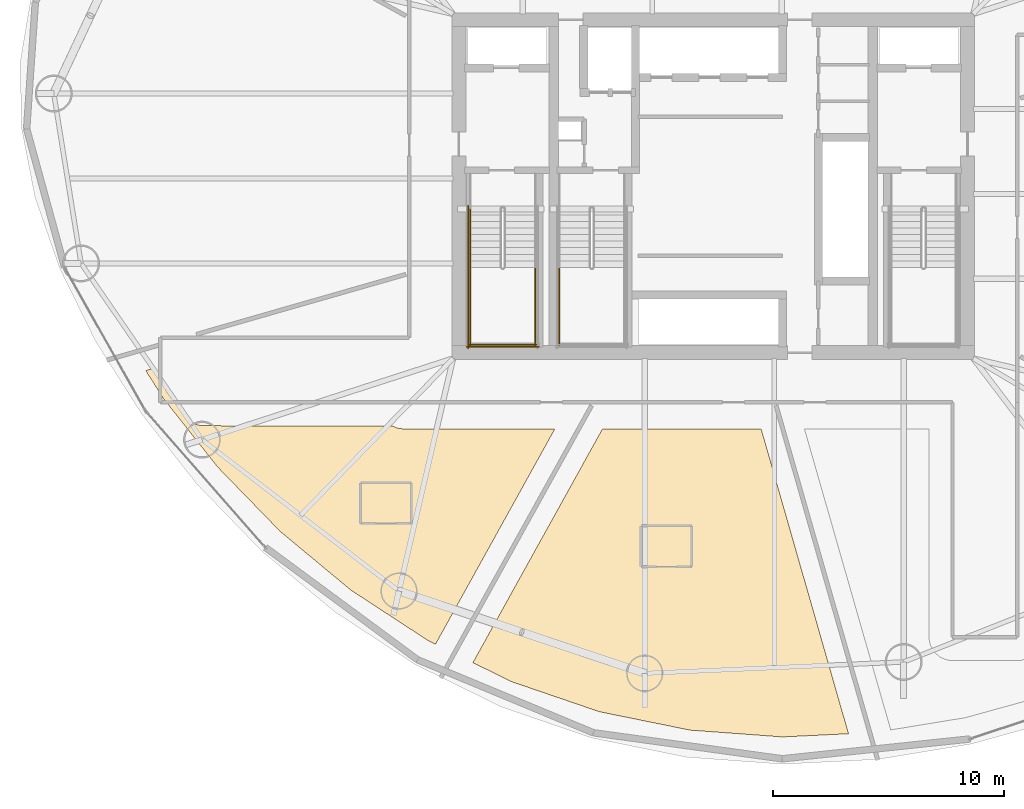
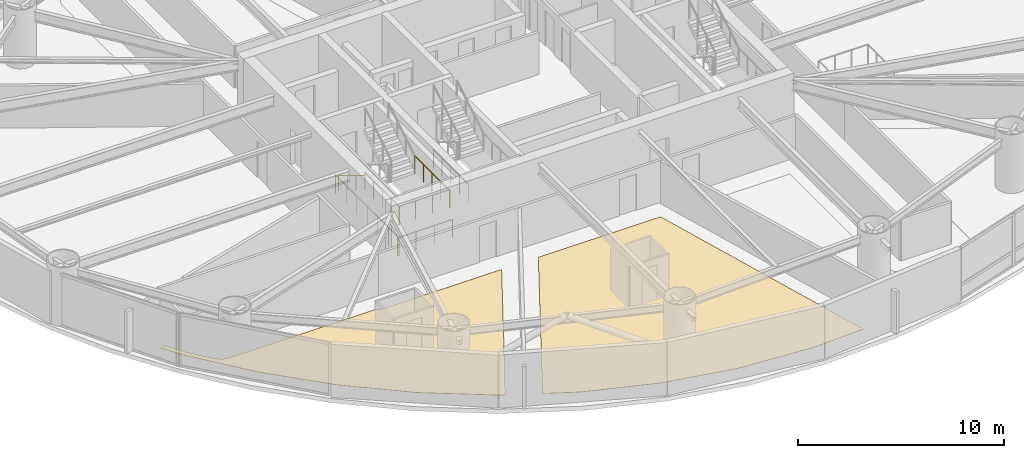
# One storey, part 21 of 25: 7 railings, 2 coverings.
"""IFC4 building model written with IfcOpenShell, lengths in metres."""

import ifcopenshell
import ifcopenshell.guid

model = None  # the IFC model being written
_history = None  # IfcOwnerHistory: only IFC2X3 demands one
_inside = {}  # id of a spatial element -> (the spatial element, [elements in it])
_under = {}  # id of a project, library or spatial element -> (it, [spatial elements below it])
_declared = {}  # id of a project -> (the project, [libraries it declares])
_typed = {}  # id of a type object -> (the type object, [elements of that type])
_made_of = {}  # id of a material, layer set ... -> (it, [elements and type objects made of it])


def new_model(schema):
    """Start an empty IFC model of exactly this schema.

    Asked for "IFC4X3", IfcOpenShell would pick the latest addendum, in which some entities
    have other attributes; the version numbers below select the first issue.
    IFC2X3 requires an IfcOwnerHistory on every rooted entity: one is made here for all.
    """
    global model, _history
    if schema == "IFC4X3":
        model = ifcopenshell.file(schema_version=(4, 3, 0, 0))
    else:
        model = ifcopenshell.file(schema=schema)
    _inside.clear()
    _under.clear()
    _declared.clear()
    _typed.clear()
    _made_of.clear()
    _history = None
    if model.schema == "IFC2X3":
        org = make("IfcOrganization", Name="unknown")
        user = make(
            "IfcPersonAndOrganization",
            ThePerson=make("IfcPerson", FamilyName="unknown"),
            TheOrganization=org,
        )
        app = make(
            "IfcApplication",
            ApplicationDeveloper=org,
            Version="unknown",
            ApplicationFullName="unknown",
            ApplicationIdentifier="unknown",
        )
        _history = make(
            "IfcOwnerHistory",
            OwningUser=user,
            OwningApplication=app,
            ChangeAction="ADDED",
            CreationDate=0,
        )
    return model


def make(cls, **values):
    """One entity of the class cls with the attributes given. An attribute that is None is left unset."""
    return model.create_entity(
        cls, **{name: value for name, value in values.items() if value is not None}
    )


def rooted(cls, **values):
    """An entity with a GlobalId (a new one), such as an element, a storey or a relation."""
    return make(cls, GlobalId=ifcopenshell.guid.new(), OwnerHistory=_history, **values)


def si_unit(unit_type, name, prefix=None):
    """IfcSIUnit, for example si_unit("LENGTHUNIT", "METRE", prefix="MILLI")."""
    return make("IfcSIUnit", UnitType=unit_type, Prefix=prefix, Name=name)


def assignment(units):
    """IfcUnitAssignment: the units of a project."""
    return None if units is None else make("IfcUnitAssignment", Units=units)


def point(xyz):
    """IfcCartesianPoint."""
    return None if xyz is None else make("IfcCartesianPoint", Coordinates=xyz)


def direction(xyz):
    """IfcDirection."""
    return None if xyz is None else make("IfcDirection", DirectionRatios=xyz)


def frame(location, z_axis=None, x_axis=None):
    """IfcAxis2Placement3D, a coordinate frame: its origin and axes. An axis left out is left unset."""
    return make(
        "IfcAxis2Placement3D",
        Location=point(location),
        Axis=direction(z_axis),
        RefDirection=direction(x_axis),
    )


def frame_2d(location, x_axis=None):
    """IfcAxis2Placement2D, a coordinate frame in the plane: its origin and x axis."""
    return make(
        "IfcAxis2Placement2D", Location=point(location), RefDirection=direction(x_axis)
    )


def origin():
    """The frame at (0, 0, 0) with its axes left unset."""
    return frame((0.0, 0.0, 0.0))


def origin_2d():
    """The frame at (0, 0) in the plane with its x axis left unset."""
    return frame_2d((0.0, 0.0))


def place(relative_to, where):
    """IfcLocalPlacement: puts the frame where relative to a parent placement (None: the world)."""
    return make(
        "IfcLocalPlacement", PlacementRelTo=relative_to, RelativePlacement=where
    )


def context(
    kind, dimensions, precision=None, world=None, true_north=None, identifier=None
):
    """IfcGeometricRepresentationContext, for example the 3D "Model" context."""
    return make(
        "IfcGeometricRepresentationContext",
        ContextIdentifier=identifier,
        ContextType=kind,
        CoordinateSpaceDimension=dimensions,
        Precision=precision,
        WorldCoordinateSystem=world,
        TrueNorth=true_north,
    )


def subcontext(parent, identifier, kind, view, scale=None):
    """IfcGeometricRepresentationSubContext, for example "Body" below "Model"."""
    return make(
        "IfcGeometricRepresentationSubContext",
        ContextIdentifier=identifier,
        ContextType=kind,
        ParentContext=parent,
        TargetScale=scale,
        TargetView=view,
    )


def project(units=None, contexts=None):
    """IfcProject with its units and contexts."""
    return rooted(
        "IfcProject",
        Name="project",
        RepresentationContexts=contexts,
        UnitsInContext=assignment(units),
    )


def spatial(cls, under=None, at=None, **own):
    """A site, building, storey or space (cls), placed at a placement, below another one or the project."""
    s = rooted(cls, ObjectPlacement=at, **own)
    if under is not None:
        _under.setdefault(under.id(), (under, []))[1].append(s)
    return s


def polyline(points):
    """IfcPolyline through the points."""
    return make("IfcPolyline", Points=[point(p) for p in points])


def profile(cls, at=None, kind="AREA", **sizes):
    """A parametric profile (cls). Its sizes go by their IFC names, for example OverallWidth=200.0."""
    return make(cls, ProfileType=kind, Position=at, **sizes)


def circle(**sizes):
    """IfcCircleProfileDef."""
    return profile("IfcCircleProfileDef", **sizes)


def outline(outer, holes=None, kind="AREA"):
    """IfcArbitraryClosedProfileDef: a profile drawn as a closed curve; with holes, ...WithVoids."""
    if holes is None:
        return make("IfcArbitraryClosedProfileDef", ProfileType=kind, OuterCurve=outer)
    return make(
        "IfcArbitraryProfileDefWithVoids",
        ProfileType=kind,
        OuterCurve=outer,
        InnerCurves=holes,
    )


def extrude(swept, where, along, depth):
    """IfcExtrudedAreaSolid: the profile swept, set in the frame where, extruded along a direction by depth."""
    return make(
        "IfcExtrudedAreaSolid",
        SweptArea=swept,
        Position=where,
        ExtrudedDirection=direction(along),
        Depth=depth,
    )


def shape(context_of_items, identifier, shape_type, items):
    """IfcShapeRepresentation: the items that make up one representation, for example the "Body"."""
    return make(
        "IfcShapeRepresentation",
        ContextOfItems=context_of_items,
        RepresentationIdentifier=identifier,
        RepresentationType=shape_type,
        Items=items,
    )


def material(Name=None, Category=None):
    """IfcMaterial."""
    return make("IfcMaterial", Name=Name, Category=Category)


def layer(
    of_material, thickness, ventilated=None, Name=None, Category=None, Priority=None
):
    """IfcMaterialLayer: one layer of a wall or slab, of a material (None: an air gap)."""
    return make(
        "IfcMaterialLayer",
        Material=of_material,
        LayerThickness=thickness,
        IsVentilated=ventilated,
        Name=Name,
        Category=Category,
        Priority=Priority,
    )


def layer_set(layers, Name=None):
    """IfcMaterialLayerSet."""
    return make("IfcMaterialLayerSet", MaterialLayers=layers, LayerSetName=Name)


def made_of(thing, what):
    """Note that an element or type object is made of a material, layer set ...; save() writes the relation."""
    if what is not None:
        _made_of.setdefault(what.id(), (what, []))[1].append(thing)
    return thing


def type_object(cls, material=None, **own):
    """A type object (cls), such as IfcWallType, which elements share."""
    return made_of(rooted(cls, **own), material)


def element(
    cls,
    number,
    at=None,
    inside=None,
    cuts=None,
    type_object=None,
    material=None,
    context=None,
    identifier="Body",
    shape_type=None,
    held_by="IfcProductDefinitionShape",
    body=None,
    shapes=None,
    **own,
):
    """One element of the class cls, such as IfcWall. Its Tag is "e" and its number.

    at: its placement. inside: the storey or other place that contains it. cuts: it is an
    opening in that element (IfcRelVoidsElement). A single representation is given by context,
    identifier, shape_type and body (its items); several are given by shapes. held_by: the class
    of the entity that holds the representations. save() writes the other relations.
    """
    e = rooted(cls, Tag="e%d" % number, ObjectPlacement=at, **own)
    if body is not None:
        shapes = [shape(context, identifier, shape_type, body)]
    if shapes is not None:
        e.Representation = make(held_by, Representations=shapes)
    if inside is not None:
        _inside.setdefault(inside.id(), (inside, []))[1].append(e)
    if cuts is not None:
        rooted(
            "IfcRelVoidsElement", RelatingBuildingElement=cuts, RelatedOpeningElement=e
        )
    if type_object is not None:
        _typed.setdefault(type_object.id(), (type_object, []))[1].append(e)
    return made_of(e, material)


def aggregate(whole, parts):
    """IfcRelAggregates: a whole, such as a stair, and the parts it consists of."""
    return rooted("IfcRelAggregates", RelatingObject=whole, RelatedObjects=parts)


def save(model, path):
    """Write the relations noted so far, then the file.

    IfcRelAggregates (storeys below a building ...), IfcRelContainedInSpatialStructure (elements
    in a storey), IfcRelDefinesByType, IfcRelAssociatesMaterial and IfcRelDeclares: one each for
    every whole, place, type object, material and project.
    """
    for whole, parts in _under.values():
        aggregate(whole, parts)
    for where, things in _inside.values():
        rooted(
            "IfcRelContainedInSpatialStructure",
            RelatedElements=things,
            RelatingStructure=where,
        )
    for kind, things in _typed.values():
        rooted("IfcRelDefinesByType", RelatedObjects=things, RelatingType=kind)
    for what, things in _made_of.values():
        rooted("IfcRelAssociatesMaterial", RelatedObjects=things, RelatingMaterial=what)
    for by, libraries in _declared.values():
        rooted("IfcRelDeclares", RelatingContext=by, RelatedDefinitions=libraries)
    model.write(path)


model = new_model("IFC4")

# Units and contexts
model_context = context("Model", 3, precision=1e-05, world=origin(), true_north=direction((0.0, 1.0)))
body_context = subcontext(model_context, "Body", "Model", "MODEL_VIEW")
ifc_project = project(units=[si_unit("LENGTHUNIT", "METRE"), si_unit("AREAUNIT", "SQUARE_METRE"), si_unit("VOLUMEUNIT", "CUBIC_METRE"), si_unit("PLANEANGLEUNIT", "RADIAN"), si_unit("MASSUNIT", "GRAM", prefix="KILO")], contexts=[model_context])

# Site, building, storey
site_placement = place(None, origin())
site = spatial("IfcSite", under=ifc_project, at=site_placement, CompositionType="ELEMENT")
building_placement = place(site_placement, origin())
building = spatial("IfcBuilding", under=site, at=building_placement, Name="Bramvorn Convention Spire", CompositionType="ELEMENT")
storey_placement = place(building_placement, frame((0.0, 0.0, 93.89990234375)))
storey = spatial("IfcBuildingStorey", under=building, at=storey_placement, Name="L22", CompositionType="ELEMENT", Elevation=93.89990234375)

# Coverings
ifc_material_1 = material(Name="Solution-Dyed Wool Broadloom Hospitality Carpet", Category="textile")
ifc_layer = layer(ifc_material_1, 0.014892578125)
ifc_layer_set = layer_set([ifc_layer], Name="Solution-Dyed Wool Broadloom Hospitality Carpet - FLR-CARPET-15")
covering_type = type_object("IfcCoveringType", Name="FLR-CARPET-15", PredefinedType="FLOORING", material=ifc_layer_set)
covering_1_placement = place(storey_placement, origin())
element("IfcCovering", 1, at=covering_1_placement, inside=storey, type_object=covering_type, Name="Hotel Suite 2205 wool broadloom carpet", PredefinedType="FLOORING", context=body_context, shape_type="SweptSolid", body=[
    extrude(outline(polyline([(25.67724609375, 6.34228515625), (25.989501953125, 6.188720703125), (31.150634765625, 15.5), (24.60009765625, 15.5), (24.338623046875, 15.538818359375), (24.13623046875, 15.6298828125), (15.865966796875, 15.640869140625), (15.66796875, 15.690185546875), (15.483642578125, 15.778076171875), (15.2412109375, 15.98291015625), (14.455078125, 16.978759765625), (13.736572265625, 18.106201171875), (13.455810546875, 18.02587890625), (14.22900390625, 16.810546875), (16.563720703125, 13.856201171875), (19.276123046875, 11.064697265625), (22.328125, 8.531005859375), (25.67724609375, 6.34228515625)])), origin(), (0.0, 0.0, 1.0), 0.01513671875),
])
covering_2_placement = place(storey_placement, origin())
element("IfcCovering", 2, at=covering_2_placement, inside=storey, type_object=covering_type, Name="Hotel Suite 2206 wool broadloom carpet", PredefinedType="FLOORING", context=body_context, shape_type="SweptSolid", body=[
    extrude(outline(polyline([(40.997314453125, 2.18017578125), (43.8544921875, 2.318115234375), (40.07470703125, 15.5), (33.208740234375, 15.5), (27.6064453125, 5.39306640625), (29.275146484375, 4.572021484375), (33.068603515625, 3.2724609375), (36.998046875, 2.4736328125), (40.997314453125, 2.18017578125)])), origin(), (0.0, 0.0, 1.0), 0.01513671875),
])

# Railings
ifc_material_2 = material(Name="Painted Steel Balustrade & Guardrail", Category="steel")
railing_type_1 = type_object("IfcRailingType", Name="RL-STAIR-GUARD-1100", PredefinedType="GUARDRAIL", material=ifc_material_2)
for number, where, name in (
    (3, (27.5, 22.485107421875, 1.75), "L22 ST1 stair guard 3"),
    (4, (30.300048828125, 22.485107421875, 1.75), "L22 ST1 stair guard 4"),
):
    element("IfcRailing", number, at=place(storey_placement, frame(where)), inside=storey, type_object=railing_type_1, Name=name, PredefinedType="GUARDRAIL", context=body_context, shape_type="SweptSolid", body=[
        extrude(circle(Radius=0.02392578125, at=origin_2d()), frame((0.0, 0.0, 1.076171875), z_axis=(0.0, -1.0, 0.0), x_axis=(1.0, 0.0, 0.0)), (0.0, 0.0, 1.0), 3.385009765625),
        extrude(circle(Radius=0.02099609375, at=origin_2d()), origin(), (0.0, 0.0, 1.0), 1.052001953125),
        extrude(circle(Radius=0.02099609375, at=origin_2d()), frame((0.0, -0.84619140625, 0.0)), (0.0, 0.0, 1.0), 1.052001953125),
        extrude(circle(Radius=0.02099609375, at=origin_2d()), frame((0.0, -1.6923828125, 0.0)), (0.0, 0.0, 1.0), 1.052001953125),
        extrude(circle(Radius=0.02099609375, at=origin_2d()), frame((0.0, -2.538818359375, 0.0)), (0.0, 0.0, 1.0), 1.052001953125),
        extrude(circle(Radius=0.02099609375, at=origin_2d()), frame((0.0, -3.385009765625, 0.0)), (0.0, 0.0, 1.0), 1.052001953125),
    ])
railing_1_placement = place(storey_placement, frame((27.449951171875, 19.14990234375, 1.75)))
element("IfcRailing", 5, at=railing_1_placement, inside=storey, type_object=railing_type_1, Name="L22 ST1 stair guard 5", PredefinedType="GUARDRAIL", context=body_context, shape_type="SweptSolid", body=[
    extrude(circle(Radius=0.02392578125, at=origin_2d()), frame((0.0, 0.0, 1.076171875), z_axis=(1.0, 0.0, 0.0), x_axis=(0.0, 1.0, 0.0)), (0.0, 0.0, 1.0), 2.900146484375),
    extrude(circle(Radius=0.02099609375, at=origin_2d()), origin(), (0.0, 0.0, 1.0), 1.052001953125),
    extrude(circle(Radius=0.02099609375, at=origin_2d()), frame((0.966796875, 0.0, 0.0)), (0.0, 0.0, 1.0), 1.052001953125),
    extrude(circle(Radius=0.02099609375, at=origin_2d()), frame((1.933349609375, 0.0, 0.0)), (0.0, 0.0, 1.0), 1.052001953125),
    extrude(circle(Radius=0.02099609375, at=origin_2d()), frame((2.900146484375, 0.0, 0.0)), (0.0, 0.0, 1.0), 1.052001953125),
])
railing_2_placement = place(storey_placement, frame((27.39990234375, 25.14990234375, 0.0)))
element("IfcRailing", 6, at=railing_2_placement, inside=storey, type_object=railing_type_1, Name="L22 ST1 stair guard 10", PredefinedType="GUARDRAIL", context=body_context, shape_type="SweptSolid", body=[
    extrude(circle(Radius=0.02392578125, at=origin_2d()), frame((0.0, 0.0, 1.076171875), z_axis=(0.0, -1.0, 0.0), x_axis=(1.0, 0.0, 0.0)), (0.0, 0.0, 1.0), 6.14990234375),
    extrude(circle(Radius=0.02099609375, at=origin_2d()), origin(), (0.0, 0.0, 1.0), 1.052001953125),
    extrude(circle(Radius=0.02099609375, at=origin_2d()), frame((0.0, -1.02490234375, 0.0)), (0.0, 0.0, 1.0), 1.052001953125),
    extrude(circle(Radius=0.02099609375, at=origin_2d()), frame((0.0, -2.050048828125, 0.0)), (0.0, 0.0, 1.0), 1.052001953125),
    extrude(circle(Radius=0.02099609375, at=origin_2d()), frame((0.0, -3.074951171875, 0.0)), (0.0, 0.0, 1.0), 1.052001953125),
    extrude(circle(Radius=0.02099609375, at=origin_2d()), frame((0.0, -4.099853515625, 0.0)), (0.0, 0.0, 1.0), 1.052001953125),
    extrude(circle(Radius=0.02099609375, at=origin_2d()), frame((0.0, -5.125, 0.0)), (0.0, 0.0, 1.0), 1.052001953125),
    extrude(circle(Radius=0.02099609375, at=origin_2d()), frame((0.0, -6.14990234375, 0.0)), (0.0, 0.0, 1.0), 1.052001953125),
])
railing_3_placement = place(storey_placement, frame((27.35009765625, 19.050048828125, 0.0)))
element("IfcRailing", 7, at=railing_3_placement, inside=storey, type_object=railing_type_1, Name="L22 ST1 stair guard 12", PredefinedType="GUARDRAIL", context=body_context, shape_type="SweptSolid", body=[
    extrude(circle(Radius=0.02392578125, at=origin_2d()), frame((0.0, 0.0, 1.076171875), z_axis=(1.0, 0.0, 0.0), x_axis=(0.0, 1.0, 0.0)), (0.0, 0.0, 1.0), 3.099853515625),
    extrude(circle(Radius=0.02099609375, at=origin_2d()), origin(), (0.0, 0.0, 1.0), 1.052001953125),
    extrude(circle(Radius=0.02099609375, at=origin_2d()), frame((1.033203125, 0.0, 0.0)), (0.0, 0.0, 1.0), 1.052001953125),
    extrude(circle(Radius=0.02099609375, at=origin_2d()), frame((2.066650390625, 0.0, 0.0)), (0.0, 0.0, 1.0), 1.052001953125),
    extrude(circle(Radius=0.02099609375, at=origin_2d()), frame((3.099853515625, 0.0, 0.0)), (0.0, 0.0, 1.0), 1.052001953125),
])
railing_4_placement = place(storey_placement, frame((31.35009765625, 22.485107421875, 1.75)))
element("IfcRailing", 8, at=railing_4_placement, inside=storey, type_object=railing_type_1, Name="L22 ST3 stair guard 3", PredefinedType="GUARDRAIL", context=body_context, shape_type="SweptSolid", body=[
    extrude(circle(Radius=0.02392578125, at=origin_2d()), frame((0.0, 0.0, 1.076171875), z_axis=(0.0, -1.0, 0.0), x_axis=(1.0, 0.0, 0.0)), (0.0, 0.0, 1.0), 3.385009765625),
    extrude(circle(Radius=0.02099609375, at=origin_2d()), origin(), (0.0, 0.0, 1.0), 1.052001953125),
    extrude(circle(Radius=0.02099609375, at=origin_2d()), frame((0.0, -0.84619140625, 0.0)), (0.0, 0.0, 1.0), 1.052001953125),
    extrude(circle(Radius=0.02099609375, at=origin_2d()), frame((0.0, -1.6923828125, 0.0)), (0.0, 0.0, 1.0), 1.052001953125),
    extrude(circle(Radius=0.02099609375, at=origin_2d()), frame((0.0, -2.538818359375, 0.0)), (0.0, 0.0, 1.0), 1.052001953125),
    extrude(circle(Radius=0.02099609375, at=origin_2d()), frame((0.0, -3.385009765625, 0.0)), (0.0, 0.0, 1.0), 1.052001953125),
])
ifc_material_3 = material(Name="Brushed Bronze Tubular Handrail", Category="aluminium")
railing_type_2 = type_object("IfcRailingType", Name="RL-STAIR-HR-920", PredefinedType="HANDRAIL", material=ifc_material_3)
railing_5_placement = place(storey_placement, frame((27.5, 25.050048828125, 0.175048828125)))
element("IfcRailing", 9, at=railing_5_placement, inside=storey, type_object=railing_type_2, Name="L22 ST1 stair handrail 1", PredefinedType="HANDRAIL", context=body_context, shape_type="SweptSolid", body=[
    extrude(circle(Radius=0.02392578125, at=origin_2d()), frame((0.0, 0.0, 0.89599609375), z_axis=(0.0, -0.852173129349, 0.523259933127), x_axis=(1.0, 0.0, 0.0)), (0.0, 0.0, 1.0), 3.009765625),
    extrude(circle(Radius=0.02099609375, at=origin_2d()), origin(), (0.0, 0.0, 1.0), 0.871826171875),
    extrude(circle(Radius=0.02099609375, at=origin_2d()), frame((0.0, -0.85498046875, 0.52490234375)), (0.0, 0.0, 1.0), 0.871826171875),
    extrude(circle(Radius=0.02099609375, at=origin_2d()), frame((0.0, -1.7099609375, 1.050048828125)), (0.0, 0.0, 1.0), 0.871826171875),
    extrude(circle(Radius=0.02099609375, at=origin_2d()), frame((0.0, -2.56494140625, 1.574951171875)), (0.0, 0.0, 1.0), 0.871826171875),
])

save(model, "model.ifc")
